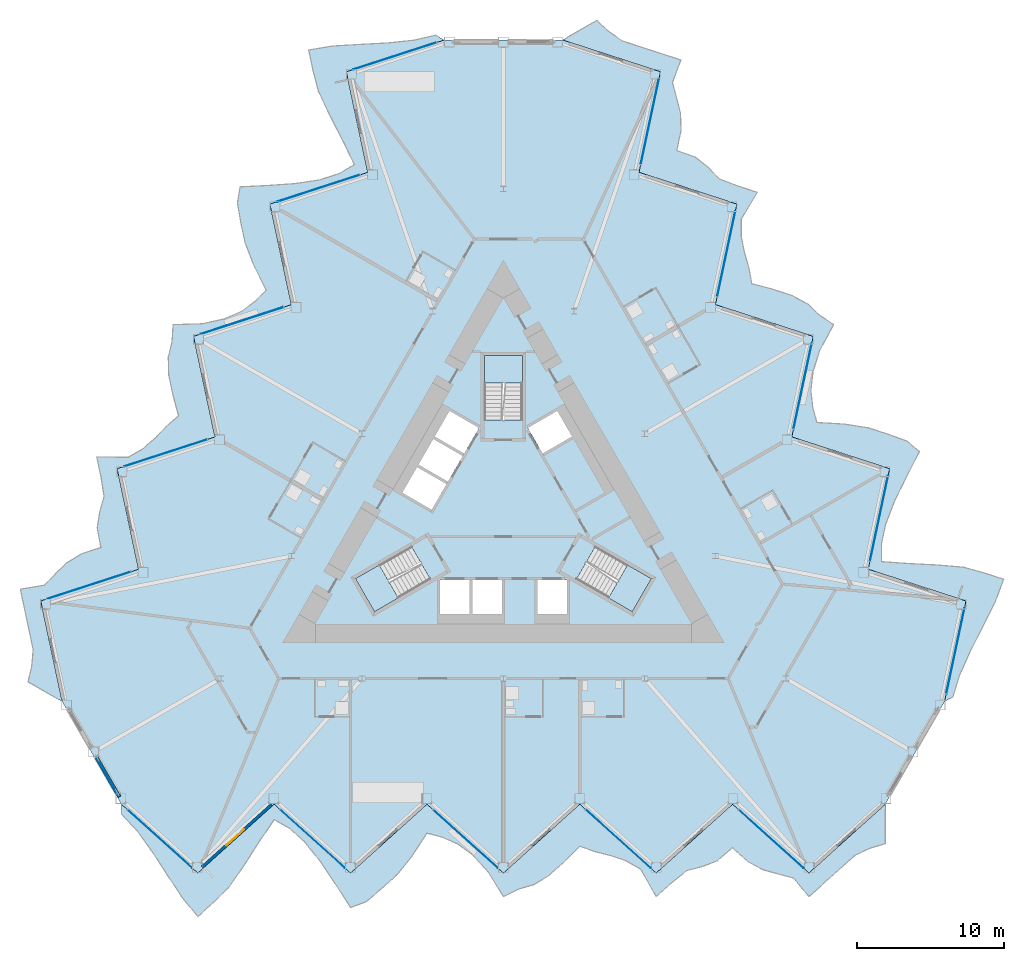
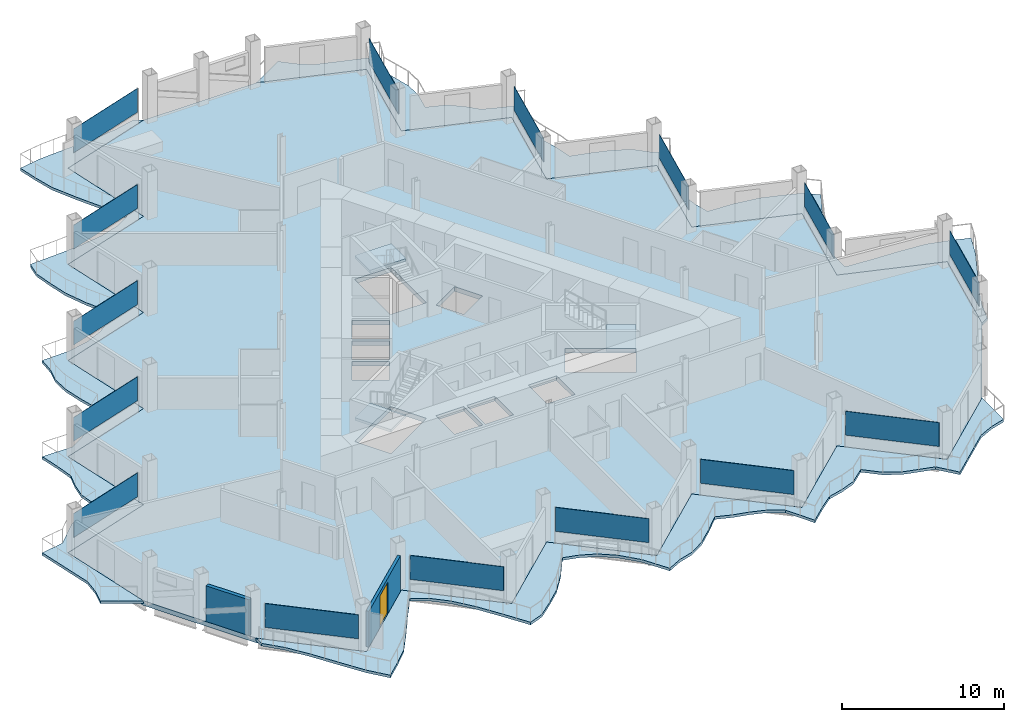
# One storey, part 10 of 23: 15 plates, 7 slabs, 2 walls, 1 door, 1 opening, 18 elements without a shape of their own.
"""IFC4 building model written with IfcOpenShell, lengths in metres."""

import ifcopenshell
import ifcopenshell.guid

model = None  # the IFC model being written
_history = None  # IfcOwnerHistory: only IFC2X3 demands one
_inside = {}  # id of a spatial element -> (the spatial element, [elements in it])
_under = {}  # id of a project, library or spatial element -> (it, [spatial elements below it])
_declared = {}  # id of a project -> (the project, [libraries it declares])
_typed = {}  # id of a type object -> (the type object, [elements of that type])
_made_of = {}  # id of a material, layer set ... -> (it, [elements and type objects made of it])


def new_model(schema):
    """Start an empty IFC model of exactly this schema.

    Asked for "IFC4X3", IfcOpenShell would pick the latest addendum, in which some entities
    have other attributes; the version numbers below select the first issue.
    IFC2X3 requires an IfcOwnerHistory on every rooted entity: one is made here for all.
    """
    global model, _history
    if schema == "IFC4X3":
        model = ifcopenshell.file(schema_version=(4, 3, 0, 0))
    else:
        model = ifcopenshell.file(schema=schema)
    _inside.clear()
    _under.clear()
    _declared.clear()
    _typed.clear()
    _made_of.clear()
    _history = None
    if model.schema == "IFC2X3":
        org = make("IfcOrganization", Name="unknown")
        user = make(
            "IfcPersonAndOrganization",
            ThePerson=make("IfcPerson", FamilyName="unknown"),
            TheOrganization=org,
        )
        app = make(
            "IfcApplication",
            ApplicationDeveloper=org,
            Version="unknown",
            ApplicationFullName="unknown",
            ApplicationIdentifier="unknown",
        )
        _history = make(
            "IfcOwnerHistory",
            OwningUser=user,
            OwningApplication=app,
            ChangeAction="ADDED",
            CreationDate=0,
        )
    return model


def make(cls, **values):
    """One entity of the class cls with the attributes given. An attribute that is None is left unset."""
    return model.create_entity(
        cls, **{name: value for name, value in values.items() if value is not None}
    )


def rooted(cls, **values):
    """An entity with a GlobalId (a new one), such as an element, a storey or a relation."""
    return make(cls, GlobalId=ifcopenshell.guid.new(), OwnerHistory=_history, **values)


def si_unit(unit_type, name, prefix=None):
    """IfcSIUnit, for example si_unit("LENGTHUNIT", "METRE", prefix="MILLI")."""
    return make("IfcSIUnit", UnitType=unit_type, Prefix=prefix, Name=name)


def assignment(units):
    """IfcUnitAssignment: the units of a project."""
    return None if units is None else make("IfcUnitAssignment", Units=units)


def point(xyz):
    """IfcCartesianPoint."""
    return None if xyz is None else make("IfcCartesianPoint", Coordinates=xyz)


def direction(xyz):
    """IfcDirection."""
    return None if xyz is None else make("IfcDirection", DirectionRatios=xyz)


def frame(location, z_axis=None, x_axis=None):
    """IfcAxis2Placement3D, a coordinate frame: its origin and axes. An axis left out is left unset."""
    return make(
        "IfcAxis2Placement3D",
        Location=point(location),
        Axis=direction(z_axis),
        RefDirection=direction(x_axis),
    )


def frame_2d(location, x_axis=None):
    """IfcAxis2Placement2D, a coordinate frame in the plane: its origin and x axis."""
    return make(
        "IfcAxis2Placement2D", Location=point(location), RefDirection=direction(x_axis)
    )


def origin():
    """The frame at (0, 0, 0) with its axes left unset."""
    return frame((0.0, 0.0, 0.0))


def origin_2d():
    """The frame at (0, 0) in the plane with its x axis left unset."""
    return frame_2d((0.0, 0.0))


def place(relative_to, where):
    """IfcLocalPlacement: puts the frame where relative to a parent placement (None: the world)."""
    return make(
        "IfcLocalPlacement", PlacementRelTo=relative_to, RelativePlacement=where
    )


def context(
    kind, dimensions, precision=None, world=None, true_north=None, identifier=None
):
    """IfcGeometricRepresentationContext, for example the 3D "Model" context."""
    return make(
        "IfcGeometricRepresentationContext",
        ContextIdentifier=identifier,
        ContextType=kind,
        CoordinateSpaceDimension=dimensions,
        Precision=precision,
        WorldCoordinateSystem=world,
        TrueNorth=true_north,
    )


def subcontext(parent, identifier, kind, view, scale=None):
    """IfcGeometricRepresentationSubContext, for example "Body" below "Model"."""
    return make(
        "IfcGeometricRepresentationSubContext",
        ContextIdentifier=identifier,
        ContextType=kind,
        ParentContext=parent,
        TargetScale=scale,
        TargetView=view,
    )


def project(units=None, contexts=None):
    """IfcProject with its units and contexts."""
    return rooted(
        "IfcProject",
        Name="project",
        RepresentationContexts=contexts,
        UnitsInContext=assignment(units),
    )


def spatial(cls, under=None, at=None, **own):
    """A site, building, storey or space (cls), placed at a placement, below another one or the project."""
    s = rooted(cls, ObjectPlacement=at, **own)
    if under is not None:
        _under.setdefault(under.id(), (under, []))[1].append(s)
    return s


def polyline(points):
    """IfcPolyline through the points."""
    return make("IfcPolyline", Points=[point(p) for p in points])


def profile(cls, at=None, kind="AREA", **sizes):
    """A parametric profile (cls). Its sizes go by their IFC names, for example OverallWidth=200.0."""
    return make(cls, ProfileType=kind, Position=at, **sizes)


def rectangle(**sizes):
    """IfcRectangleProfileDef."""
    return profile("IfcRectangleProfileDef", **sizes)


def outline(outer, holes=None, kind="AREA"):
    """IfcArbitraryClosedProfileDef: a profile drawn as a closed curve; with holes, ...WithVoids."""
    if holes is None:
        return make("IfcArbitraryClosedProfileDef", ProfileType=kind, OuterCurve=outer)
    return make(
        "IfcArbitraryProfileDefWithVoids",
        ProfileType=kind,
        OuterCurve=outer,
        InnerCurves=holes,
    )


def extrude(swept, where, along, depth):
    """IfcExtrudedAreaSolid: the profile swept, set in the frame where, extruded along a direction by depth."""
    return make(
        "IfcExtrudedAreaSolid",
        SweptArea=swept,
        Position=where,
        ExtrudedDirection=direction(along),
        Depth=depth,
    )


def shape(context_of_items, identifier, shape_type, items):
    """IfcShapeRepresentation: the items that make up one representation, for example the "Body"."""
    return make(
        "IfcShapeRepresentation",
        ContextOfItems=context_of_items,
        RepresentationIdentifier=identifier,
        RepresentationType=shape_type,
        Items=items,
    )


def material(Name=None, Category=None):
    """IfcMaterial."""
    return make("IfcMaterial", Name=Name, Category=Category)


def layer(
    of_material, thickness, ventilated=None, Name=None, Category=None, Priority=None
):
    """IfcMaterialLayer: one layer of a wall or slab, of a material (None: an air gap)."""
    return make(
        "IfcMaterialLayer",
        Material=of_material,
        LayerThickness=thickness,
        IsVentilated=ventilated,
        Name=Name,
        Category=Category,
        Priority=Priority,
    )


def layer_set(layers, Name=None):
    """IfcMaterialLayerSet."""
    return make("IfcMaterialLayerSet", MaterialLayers=layers, LayerSetName=Name)


def made_of(thing, what):
    """Note that an element or type object is made of a material, layer set ...; save() writes the relation."""
    if what is not None:
        _made_of.setdefault(what.id(), (what, []))[1].append(thing)
    return thing


def type_object(cls, material=None, **own):
    """A type object (cls), such as IfcWallType, which elements share."""
    return made_of(rooted(cls, **own), material)


def element(
    cls,
    number,
    at=None,
    inside=None,
    cuts=None,
    type_object=None,
    material=None,
    context=None,
    identifier="Body",
    shape_type=None,
    held_by="IfcProductDefinitionShape",
    body=None,
    shapes=None,
    **own,
):
    """One element of the class cls, such as IfcWall. Its Tag is "e" and its number.

    at: its placement. inside: the storey or other place that contains it. cuts: it is an
    opening in that element (IfcRelVoidsElement). A single representation is given by context,
    identifier, shape_type and body (its items); several are given by shapes. held_by: the class
    of the entity that holds the representations. save() writes the other relations.
    """
    e = rooted(cls, Tag="e%d" % number, ObjectPlacement=at, **own)
    if body is not None:
        shapes = [shape(context, identifier, shape_type, body)]
    if shapes is not None:
        e.Representation = make(held_by, Representations=shapes)
    if inside is not None:
        _inside.setdefault(inside.id(), (inside, []))[1].append(e)
    if cuts is not None:
        rooted(
            "IfcRelVoidsElement", RelatingBuildingElement=cuts, RelatedOpeningElement=e
        )
    if type_object is not None:
        _typed.setdefault(type_object.id(), (type_object, []))[1].append(e)
    return made_of(e, material)


def fill(opening, filler):
    """IfcRelFillsElement: the door or window that sits in an opening."""
    return rooted(
        "IfcRelFillsElement",
        RelatingOpeningElement=opening,
        RelatedBuildingElement=filler,
    )


def aggregate(whole, parts):
    """IfcRelAggregates: a whole, such as a stair, and the parts it consists of."""
    return rooted("IfcRelAggregates", RelatingObject=whole, RelatedObjects=parts)


def save(model, path):
    """Write the relations noted so far, then the file.

    IfcRelAggregates (storeys below a building ...), IfcRelContainedInSpatialStructure (elements
    in a storey), IfcRelDefinesByType, IfcRelAssociatesMaterial and IfcRelDeclares: one each for
    every whole, place, type object, material and project.
    """
    for whole, parts in _under.values():
        aggregate(whole, parts)
    for where, things in _inside.values():
        rooted(
            "IfcRelContainedInSpatialStructure",
            RelatedElements=things,
            RelatingStructure=where,
        )
    for kind, things in _typed.values():
        rooted("IfcRelDefinesByType", RelatedObjects=things, RelatingType=kind)
    for what, things in _made_of.values():
        rooted("IfcRelAssociatesMaterial", RelatedObjects=things, RelatingMaterial=what)
    for by, libraries in _declared.values():
        rooted("IfcRelDeclares", RelatingContext=by, RelatedDefinitions=libraries)
    model.write(path)


model = new_model("IFC4")

# Units and contexts
model_context = context("Model", 3, precision=1e-05, world=origin(), true_north=direction((0.0, 1.0)))
body_context = subcontext(model_context, "Body", "Model", "MODEL_VIEW")
ifc_project = project(units=[si_unit("LENGTHUNIT", "METRE"), si_unit("AREAUNIT", "SQUARE_METRE"), si_unit("VOLUMEUNIT", "CUBIC_METRE"), si_unit("PLANEANGLEUNIT", "RADIAN"), si_unit("MASSUNIT", "GRAM", prefix="KILO")], contexts=[model_context])

# Site, building, storey
site_placement = place(None, origin())
site = spatial("IfcSite", under=ifc_project, at=site_placement, CompositionType="ELEMENT")
building_placement = place(site_placement, origin())
building = spatial("IfcBuilding", under=site, at=building_placement, Name="Cormorant Prow Tower", CompositionType="ELEMENT")
storey_placement = place(building_placement, frame((0.0, 0.0, 256.199951171875)))
storey = spatial("IfcBuildingStorey", under=building, at=storey_placement, Name="L57", CompositionType="ELEMENT", Elevation=256.199951171875)

# Slabs
ifc_material_1 = material(Name="Concrete C40/50", Category="concrete")
ifc_layer_1 = layer(ifc_material_1, 0.199951171875)
ifc_layer_set_1 = layer_set([ifc_layer_1], Name="Concrete C40/50")
slab_type_1 = type_object("IfcSlabType", Name="Balcony slab 200", PredefinedType="FLOOR", material=ifc_layer_set_1)
slab_1_placement = place(storey_placement, frame((0.0, 0.0, -0.199951171875)))
element("IfcSlab", 1, at=slab_1_placement, inside=storey, type_object=slab_type_1, Name="Balcony slab S L57", PredefinedType="FLOOR", context=body_context, shape_type="SweptSolid", body=[
    extrude(outline(polyline([(-25.8974609375, -19.593505859375), (-25.8974609375, -20.243408203125), (-24.861572265625, -21.35888671875), (-23.82568359375, -22.7861328125), (-22.789794921875, -24.380859375), (-21.75390625, -25.949462890625), (-20.718017578125, -27.207275390625), (-19.68212890625, -26.2744140625), (-18.646240234375, -25.255615234375), (-17.6103515625, -23.767822265625), (-16.574462890625, -22.16064453125), (-15.53857421875, -20.630859375), (-14.502685546875, -21.21875), (-13.466796875, -22.15966796875), (-12.430908203125, -23.450927734375), (-11.39501953125, -24.98779296875), (-10.359130859375, -26.593994140625), (-9.322998046875, -26.20703125), (-8.287109375, -25.341796875), (-7.251220703125, -24.408935546875), (-6.21533203125, -23.126953125), (-5.179443359375, -21.552978515625), (-4.1435546875, -21.8271484375), (-3.107666015625, -22.2763671875), (-2.07177734375, -23.0419921875), (-1.035888671875, -24.1728515625), (0.0, -25.857177734375), (1.035888671875, -25.34326171875), (2.07177734375, -25.040771484375), (3.107666015625, -24.408935546875), (4.1435546875, -23.476318359375), (5.179443359375, -22.438232421875), (6.21533203125, -22.806884765625), (7.251220703125, -23.064208984375), (8.287109375, -23.40771484375), (9.322998046875, -24.009765625), (10.359130859375, -25.857177734375), (11.39501953125, -24.924560546875), (12.430908203125, -24.08447265625), (13.466796875, -23.82373046875), (14.502685546875, -23.427001953125), (15.53857421875, -22.54345703125), (16.574462890625, -23.476318359375), (17.6103515625, -24.03466796875), (18.646240234375, -24.3212890625), (19.68212890625, -24.599365234375), (20.718017578125, -25.857177734375), (21.75390625, -24.924560546875), (22.789794921875, -23.99169921875), (23.82568359375, -23.05908203125), (24.861572265625, -22.57470703125), (25.8974609375, -22.266357421875), (25.8974609375, -19.593505859375), (24.861572265625, -20.5263671875), (23.82568359375, -21.458984375), (22.789794921875, -22.3916015625), (21.75390625, -23.324462890625), (20.718017578125, -24.257080078125), (19.68212890625, -23.324462890625), (18.646240234375, -22.3916015625), (17.6103515625, -21.458984375), (16.574462890625, -20.5263671875), (15.53857421875, -19.593505859375), (14.502685546875, -20.5263671875), (13.466796875, -21.458984375), (12.430908203125, -22.3916015625), (11.39501953125, -23.324462890625), (10.359130859375, -24.257080078125), (9.322998046875, -23.324462890625), (8.287109375, -22.3916015625), (7.251220703125, -21.458984375), (6.21533203125, -20.5263671875), (5.179443359375, -19.593505859375), (4.1435546875, -20.5263671875), (3.107666015625, -21.458984375), (2.07177734375, -22.3916015625), (1.035888671875, -23.324462890625), (0.0, -24.257080078125), (-1.035888671875, -23.324462890625), (-2.07177734375, -22.3916015625), (-3.107666015625, -21.458984375), (-4.1435546875, -20.5263671875), (-5.179443359375, -19.593505859375), (-6.21533203125, -20.5263671875), (-7.251220703125, -21.458984375), (-8.287109375, -22.3916015625), (-9.322998046875, -23.324462890625), (-10.359130859375, -24.257080078125), (-11.39501953125, -23.324462890625), (-12.430908203125, -22.3916015625), (-13.466796875, -21.458984375), (-14.502685546875, -20.5263671875), (-15.53857421875, -19.593505859375), (-16.574462890625, -20.5263671875), (-17.6103515625, -21.458984375), (-18.646240234375, -22.3916015625), (-19.68212890625, -23.324462890625), (-20.718017578125, -24.257080078125), (-21.75390625, -23.324462890625), (-22.789794921875, -22.3916015625), (-23.82568359375, -21.458984375), (-24.861572265625, -20.5263671875), (-25.8974609375, -19.593505859375)])), origin(), (0.0, 0.0, 1.0), 0.199951171875),
])
slab_2_placement = place(storey_placement, frame((0.0, 0.0, -0.199951171875)))
element("IfcSlab", 2, at=slab_2_placement, inside=storey, type_object=slab_type_1, Name="Balcony slab ENE L57", PredefinedType="FLOOR", context=body_context, shape_type="SweptSolid", body=[
    extrude(outline(polyline([(29.917236328125, -12.631103515625), (30.480224609375, -12.30615234375), (30.92822265625, -10.851318359375), (31.646240234375, -9.240478515625), (32.50927734375, -7.546142578125), (33.349853515625, -5.86474609375), (33.921142578125, -4.3388671875), (32.595458984375, -3.907958984375), (31.195068359375, -3.520263671875), (29.388671875, -3.3671875), (27.478759765625, -3.273681640625), (25.63623046875, -3.141357421875), (25.62744140625, -1.9501953125), (25.924072265625, -0.582763671875), (26.5244140625, 0.9599609375), (27.337646484375, 2.625732421875), (28.210693359375, 4.325927734375), (27.357421875, 5.029541015625), (26.090087890625, 5.493896484375), (24.764404296875, 5.924560546875), (23.13623046875, 6.1806640625), (21.255126953125, 6.291015625), (20.974609375, 7.3251953125), (20.845703125, 8.44677734375), (20.990966796875, 9.726806640625), (21.452392578125, 11.189208984375), (22.39306640625, 12.928466796875), (21.429931640625, 13.56884765625), (20.650146484375, 14.314697265625), (19.5849609375, 14.895751953125), (18.25927734375, 15.32666015625), (16.84228515625, 15.70458984375), (16.6435546875, 16.7861328125), (16.3486328125, 17.81201171875), (16.128173828125, 18.880859375), (16.13134765625, 20.078857421875), (17.21337890625, 21.899658203125), (15.8876953125, 22.33056640625), (14.642333984375, 22.8076171875), (13.8984375, 23.57421875), (13.037109375, 24.273193359375), (11.75390625, 24.728515625), (12.043701171875, 26.092041015625), (12.009521484375, 27.268310546875), (11.73974609375, 28.308837890625), (11.462646484375, 29.344970703125), (12.033935546875, 30.870849609375), (10.708251953125, 31.3017578125), (9.382568359375, 31.732421875), (8.056884765625, 32.1630859375), (7.119384765625, 32.818115234375), (6.33447265625, 33.56103515625), (4.019775390625, 32.224609375), (5.345458984375, 31.7939453125), (6.671142578125, 31.36328125), (7.996826171875, 30.932373046875), (9.322509765625, 30.501708984375), (10.648193359375, 30.071044921875), (10.3583984375, 28.70751953125), (10.068603515625, 27.343994140625), (9.77880859375, 25.98046875), (9.489013671875, 24.616943359375), (9.19921875, 23.25341796875), (10.52490234375, 22.82275390625), (11.8505859375, 22.39208984375), (13.17626953125, 21.961181640625), (14.502197265625, 21.530517578125), (15.827880859375, 21.099853515625), (15.5380859375, 19.736328125), (15.248291015625, 18.372802734375), (14.958251953125, 17.00927734375), (14.66845703125, 15.645751953125), (14.378662109375, 14.2822265625), (15.704345703125, 13.8515625), (17.0302734375, 13.4208984375), (18.35595703125, 12.989990234375), (19.681640625, 12.559326171875), (21.00732421875, 12.128662109375), (20.717529296875, 10.76513671875), (20.427734375, 9.401611328125), (20.137939453125, 8.0380859375), (19.84814453125, 6.674560546875), (19.558349609375, 5.311279296875), (20.884033203125, 4.88037109375), (22.209716796875, 4.44970703125), (23.535400390625, 4.018798828125), (24.861083984375, 3.588134765625), (26.186767578125, 3.157470703125), (25.89697265625, 1.7939453125), (25.607177734375, 0.430419921875), (25.3173828125, -0.93310546875), (25.027587890625, -2.296630859375), (24.73779296875, -3.659912109375), (26.0634765625, -4.0908203125), (27.38916015625, -4.521484375), (28.71484375, -4.9521484375), (30.04052734375, -5.383056640625), (31.366455078125, -5.813720703125), (31.076416015625, -7.17724609375), (30.78662109375, -8.540771484375), (30.496826171875, -9.904296875), (30.20703125, -11.267578125), (29.917236328125, -12.631103515625)])), origin(), (0.0, 0.0, 1.0), 0.199951171875),
])
slab_3_placement = place(storey_placement, frame((0.0, 0.0, -0.199951171875)))
element("IfcSlab", 3, at=slab_3_placement, inside=storey, type_object=slab_type_1, Name="Balcony slab WNW L57", PredefinedType="FLOOR", context=body_context, shape_type="SweptSolid", body=[
    extrude(outline(polyline([(-4.019775390625, 32.224609375), (-4.58251953125, 32.5498046875), (-6.066650390625, 32.210205078125), (-7.820556640625, 32.02685546875), (-9.719482421875, 31.927001953125), (-11.595947265625, 31.814208984375), (-13.203125, 31.5458984375), (-12.913330078125, 30.182373046875), (-12.548828125, 28.77587890625), (-11.7783203125, 27.135009765625), (-10.904296875, 25.43408203125), (-10.09765625, 23.772216796875), (-11.124755859375, 23.1689453125), (-12.45751953125, 22.742431640625), (-14.09375, 22.490966796875), (-15.942626953125, 22.3623046875), (-17.8515625, 22.26806640625), (-18.034423828125, 21.177490234375), (-17.802978515625, 19.847900390625), (-17.51318359375, 18.484375), (-16.920654296875, 16.946044921875), (-16.07568359375, 15.261962890625), (-16.8310546875, 14.501953125), (-17.738037109375, 13.82958984375), (-18.919189453125, 13.315185546875), (-20.41650390625, 12.983642578125), (-22.39306640625, 12.928466796875), (-22.4658203125, 11.7744140625), (-22.721923828125, 10.72607421875), (-22.692626953125, 9.51318359375), (-22.40283203125, 8.149658203125), (-22.021728515625, 6.7333984375), (-22.85888671875, 6.020751953125), (-23.599853515625, 5.252197265625), (-24.415283203125, 4.52685546875), (-25.45458984375, 3.9306640625), (-27.572509765625, 3.95751953125), (-27.28271484375, 2.593994140625), (-27.0732421875, 1.27685546875), (-27.365234375, 0.249267578125), (-27.53955078125, -0.84619140625), (-27.29248046875, -2.18505859375), (-28.6181640625, -2.61572265625), (-29.619873046875, -3.233642578125), (-30.385986328125, -3.9873046875), (-31.144775390625, -4.74560546875), (-32.751953125, -5.013671875), (-32.462158203125, -6.377197265625), (-32.17236328125, -7.74072265625), (-31.882568359375, -9.104248046875), (-31.981201171875, -10.243408203125), (-32.23193359375, -11.294677734375), (-29.917236328125, -12.631103515625), (-30.20703125, -11.267578125), (-30.496826171875, -9.904296875), (-30.78662109375, -8.540771484375), (-31.076416015625, -7.17724609375), (-31.366455078125, -5.813720703125), (-30.04052734375, -5.383056640625), (-28.71484375, -4.9521484375), (-27.38916015625, -4.521484375), (-26.0634765625, -4.0908203125), (-24.73779296875, -3.659912109375), (-25.027587890625, -2.296630859375), (-25.3173828125, -0.93310546875), (-25.607177734375, 0.430419921875), (-25.89697265625, 1.7939453125), (-26.186767578125, 3.157470703125), (-24.861083984375, 3.588134765625), (-23.535400390625, 4.018798828125), (-22.209716796875, 4.44970703125), (-20.884033203125, 4.88037109375), (-19.558349609375, 5.311279296875), (-19.84814453125, 6.674560546875), (-20.137939453125, 8.0380859375), (-20.427734375, 9.401611328125), (-20.717529296875, 10.76513671875), (-21.00732421875, 12.128662109375), (-19.681640625, 12.559326171875), (-18.35595703125, 12.989990234375), (-17.0302734375, 13.4208984375), (-15.704345703125, 13.8515625), (-14.378662109375, 14.2822265625), (-14.66845703125, 15.645751953125), (-14.958251953125, 17.00927734375), (-15.248291015625, 18.372802734375), (-15.5380859375, 19.736328125), (-15.827880859375, 21.099853515625), (-14.502197265625, 21.530517578125), (-13.17626953125, 21.961181640625), (-11.8505859375, 22.39208984375), (-10.52490234375, 22.82275390625), (-9.19921875, 23.25341796875), (-9.489013671875, 24.616943359375), (-9.77880859375, 25.98046875), (-10.068603515625, 27.343994140625), (-10.3583984375, 28.70751953125), (-10.648193359375, 30.071044921875), (-9.322509765625, 30.501708984375), (-7.996826171875, 30.932373046875), (-6.671142578125, 31.36328125), (-5.345458984375, 31.7939453125), (-4.019775390625, 32.224609375)])), origin(), (0.0, 0.0, 1.0), 0.199951171875),
])

# Curtain wall, plate
ifc_material_2 = material(Name="Aluminium 6063-T6", Category="aluminium")
ifc_layer_2 = layer(ifc_material_2, 0.179931640625)
ifc_layer_set_2 = layer_set([ifc_layer_2], Name="Aluminium 6063-T6")
curtain_wall_type = type_object("IfcCurtainWallType", Name="Hotel unitised curtain wall 180", PredefinedType="NOTDEFINED", material=ifc_layer_set_2)
curtain_wall_1_placement = place(storey_placement, origin())
curtain_wall_1 = element("IfcCurtainWall", 4, at=curtain_wall_1_placement, inside=storey, type_object=curtain_wall_type, Name="Hotel curtain wall S00", PredefinedType="NOTDEFINED")
ifc_material_3 = material(Name="Clear glass", Category="glass")
ifc_layer_3 = layer(ifc_material_3, 0.028076171875)
ifc_layer_set_3 = layer_set([ifc_layer_3], Name="Clear glass")
plate_type = type_object("IfcPlateType", Name="Hotel glass panel 28", PredefinedType="CURTAIN_PANEL", material=ifc_layer_set_3)
plate_1_placement = place(storey_placement, frame((-23.285400390625, -21.9453125, 0.900146484375), z_axis=(0.0, 0.0, 1.0), x_axis=(0.743144829063, -0.669130602377, 0.0)))
plate_1 = element("IfcPlate", 5, at=plate_1_placement, type_object=plate_type, Name="Hotel glass panel S00", PredefinedType="CURTAIN_PANEL", context=body_context, shape_type="SweptSolid", body=[
    extrude(rectangle(XDim=5.90771484375, YDim=0.028076171875, at=origin_2d()), origin(), (0.0, 0.0, 1.0), 1.80078125),
])
aggregate(curtain_wall_1, [plate_1])

curtain_wall_2_placement = place(storey_placement, origin())
curtain_wall_2 = element("IfcCurtainWall", 6, at=curtain_wall_2_placement, inside=storey, type_object=curtain_wall_type, Name="Hotel curtain wall S02", PredefinedType="NOTDEFINED")
plate_2_placement = place(storey_placement, frame((-12.926513671875, -21.9453125, 0.900146484375), z_axis=(0.0, 0.0, 1.0), x_axis=(0.743144829063, -0.669130602377, 0.0)))
plate_2 = element("IfcPlate", 7, at=plate_2_placement, type_object=plate_type, Name="Hotel glass panel S02", PredefinedType="CURTAIN_PANEL", context=body_context, shape_type="SweptSolid", body=[
    extrude(rectangle(XDim=5.90771484375, YDim=0.028076171875, at=origin_2d()), origin(), (0.0, 0.0, 1.0), 1.80078125),
])
aggregate(curtain_wall_2, [plate_2])

curtain_wall_3_placement = place(storey_placement, origin())
curtain_wall_3 = element("IfcCurtainWall", 8, at=curtain_wall_3_placement, inside=storey, type_object=curtain_wall_type, Name="Hotel curtain wall S04", PredefinedType="NOTDEFINED")
plate_3_placement = place(storey_placement, frame((-2.5673828125, -21.9453125, 0.900146484375), z_axis=(0.0, 0.0, 1.0), x_axis=(0.743144829063, -0.669130602377, 0.0)))
plate_3 = element("IfcPlate", 9, at=plate_3_placement, type_object=plate_type, Name="Hotel glass panel S04", PredefinedType="CURTAIN_PANEL", context=body_context, shape_type="SweptSolid", body=[
    extrude(rectangle(XDim=5.90771484375, YDim=0.028076171875, at=origin_2d()), origin(), (0.0, 0.0, 1.0), 1.80078125),
])
aggregate(curtain_wall_3, [plate_3])

curtain_wall_4_placement = place(storey_placement, origin())
curtain_wall_4 = element("IfcCurtainWall", 10, at=curtain_wall_4_placement, inside=storey, type_object=curtain_wall_type, Name="Hotel curtain wall S06", PredefinedType="NOTDEFINED")
plate_4_placement = place(storey_placement, frame((7.79150390625, -21.9453125, 0.900146484375), z_axis=(0.0, 0.0, 1.0), x_axis=(0.743144829063, -0.669130602377, 0.0)))
plate_4 = element("IfcPlate", 11, at=plate_4_placement, type_object=plate_type, Name="Hotel glass panel S06", PredefinedType="CURTAIN_PANEL", context=body_context, shape_type="SweptSolid", body=[
    extrude(rectangle(XDim=5.90771484375, YDim=0.028076171875, at=origin_2d()), origin(), (0.0, 0.0, 1.0), 1.80078125),
])
aggregate(curtain_wall_4, [plate_4])

curtain_wall_5_placement = place(storey_placement, origin())
curtain_wall_5 = element("IfcCurtainWall", 12, at=curtain_wall_5_placement, inside=storey, type_object=curtain_wall_type, Name="Hotel curtain wall S08", PredefinedType="NOTDEFINED")
plate_5_placement = place(storey_placement, frame((18.150634765625, -21.9453125, 0.900146484375), z_axis=(0.0, 0.0, 1.0), x_axis=(0.743144829063, -0.669130602377, 0.0)))
plate_5 = element("IfcPlate", 13, at=plate_5_placement, type_object=plate_type, Name="Hotel glass panel S08", PredefinedType="CURTAIN_PANEL", context=body_context, shape_type="SweptSolid", body=[
    extrude(rectangle(XDim=5.90771484375, YDim=0.028076171875, at=origin_2d()), origin(), (0.0, 0.0, 1.0), 1.80078125),
])
aggregate(curtain_wall_5, [plate_5])

curtain_wall_6_placement = place(storey_placement, origin())
curtain_wall_6 = element("IfcCurtainWall", 14, at=curtain_wall_6_placement, inside=storey, type_object=curtain_wall_type, Name="Hotel curtain wall ENE00", PredefinedType="NOTDEFINED")
plate_6_placement = place(storey_placement, frame((30.64794921875, -9.193115234375, 0.900146484375), z_axis=(0.0, 0.0, 1.0), x_axis=(0.207911825822, 0.978147572038, 0.0)))
plate_6 = element("IfcPlate", 15, at=plate_6_placement, type_object=plate_type, Name="Hotel glass panel ENE00", PredefinedType="CURTAIN_PANEL", context=body_context, shape_type="SweptSolid", body=[
    extrude(rectangle(XDim=5.90771484375, YDim=0.028076171875, at=origin_2d()), origin(), (0.0, 0.0, 1.0), 1.80078125),
])
aggregate(curtain_wall_6, [plate_6])

curtain_wall_7_placement = place(storey_placement, origin())
curtain_wall_7 = element("IfcCurtainWall", 16, at=curtain_wall_7_placement, inside=storey, type_object=curtain_wall_type, Name="Hotel curtain wall ENE02", PredefinedType="NOTDEFINED")
plate_7_placement = place(storey_placement, frame((25.468505859375, -0.221923828125, 0.900146484375), z_axis=(0.0, 0.0, 1.0), x_axis=(0.207911688547, 0.978147601216, 0.0)))
plate_7 = element("IfcPlate", 17, at=plate_7_placement, type_object=plate_type, Name="Hotel glass panel ENE02", PredefinedType="CURTAIN_PANEL", context=body_context, shape_type="SweptSolid", body=[
    extrude(rectangle(XDim=5.90771484375, YDim=0.028076171875, at=origin_2d()), origin(), (0.0, 0.0, 1.0), 1.80078125),
])
aggregate(curtain_wall_7, [plate_7])

curtain_wall_8_placement = place(storey_placement, origin())
curtain_wall_8 = element("IfcCurtainWall", 18, at=curtain_wall_8_placement, inside=storey, type_object=curtain_wall_type, Name="Hotel curtain wall ENE04", PredefinedType="NOTDEFINED")
plate_8_placement = place(storey_placement, frame((20.2890625, 8.749267578125, 0.900146484375), z_axis=(0.0, 0.0, 1.0), x_axis=(0.207911825822, 0.978147572038, 0.0)))
plate_8 = element("IfcPlate", 19, at=plate_8_placement, type_object=plate_type, Name="Hotel glass panel ENE04", PredefinedType="CURTAIN_PANEL", context=body_context, shape_type="SweptSolid", body=[
    extrude(rectangle(XDim=5.90771484375, YDim=0.028076171875, at=origin_2d()), origin(), (0.0, 0.0, 1.0), 1.80078125),
])
aggregate(curtain_wall_8, [plate_8])

curtain_wall_9_placement = place(storey_placement, origin())
curtain_wall_9 = element("IfcCurtainWall", 20, at=curtain_wall_9_placement, inside=storey, type_object=curtain_wall_type, Name="Hotel curtain wall ENE06", PredefinedType="NOTDEFINED")
plate_9_placement = place(storey_placement, frame((15.109619140625, 17.720458984375, 0.900146484375), z_axis=(0.0, 0.0, 1.0), x_axis=(0.207911825822, 0.978147572038, 0.0)))
plate_9 = element("IfcPlate", 21, at=plate_9_placement, type_object=plate_type, Name="Hotel glass panel ENE06", PredefinedType="CURTAIN_PANEL", context=body_context, shape_type="SweptSolid", body=[
    extrude(rectangle(XDim=5.90771484375, YDim=0.028076171875, at=origin_2d()), origin(), (0.0, 0.0, 1.0), 1.80078125),
])
aggregate(curtain_wall_9, [plate_9])

curtain_wall_10_placement = place(storey_placement, origin())
curtain_wall_10 = element("IfcCurtainWall", 22, at=curtain_wall_10_placement, inside=storey, type_object=curtain_wall_type, Name="Hotel curtain wall ENE08", PredefinedType="NOTDEFINED")
plate_10_placement = place(storey_placement, frame((9.929931640625, 26.691650390625, 0.900146484375), z_axis=(0.0, 0.0, 1.0), x_axis=(0.207911688547, 0.978147601216, 0.0)))
plate_10 = element("IfcPlate", 23, at=plate_10_placement, type_object=plate_type, Name="Hotel glass panel ENE08", PredefinedType="CURTAIN_PANEL", context=body_context, shape_type="SweptSolid", body=[
    extrude(rectangle(XDim=5.90771484375, YDim=0.028076171875, at=origin_2d()), origin(), (0.0, 0.0, 1.0), 1.80078125),
])
aggregate(curtain_wall_10, [plate_10])

curtain_wall_11_placement = place(storey_placement, origin())
curtain_wall_11 = element("IfcCurtainWall", 24, at=curtain_wall_11_placement, inside=storey, type_object=curtain_wall_type, Name="Hotel curtain wall WNW00", PredefinedType="NOTDEFINED")
plate_11_placement = place(storey_placement, frame((-7.362548828125, 31.138427734375, 0.900146484375), z_axis=(0.0, 0.0, 1.0), x_axis=(-0.951056534174, -0.309016939349, 0.0)))
plate_11 = element("IfcPlate", 25, at=plate_11_placement, type_object=plate_type, Name="Hotel glass panel WNW00", PredefinedType="CURTAIN_PANEL", context=body_context, shape_type="SweptSolid", body=[
    extrude(rectangle(XDim=5.90771484375, YDim=0.028076171875, at=origin_2d()), origin(), (0.0, 0.0, 1.0), 1.80078125),
])
aggregate(curtain_wall_11, [plate_11])

curtain_wall_12_placement = place(storey_placement, origin())
curtain_wall_12 = element("IfcCurtainWall", 26, at=curtain_wall_12_placement, inside=storey, type_object=curtain_wall_type, Name="Hotel curtain wall WNW02", PredefinedType="NOTDEFINED")
plate_12_placement = place(storey_placement, frame((-12.5419921875, 22.16748046875, 0.900146484375), z_axis=(0.0, 0.0, 1.0), x_axis=(-0.951056534174, -0.309016939349, 0.0)))
plate_12 = element("IfcPlate", 27, at=plate_12_placement, type_object=plate_type, Name="Hotel glass panel WNW02", PredefinedType="CURTAIN_PANEL", context=body_context, shape_type="SweptSolid", body=[
    extrude(rectangle(XDim=5.90771484375, YDim=0.028076171875, at=origin_2d()), origin(), (0.0, 0.0, 1.0), 1.80078125),
])
aggregate(curtain_wall_12, [plate_12])

curtain_wall_13_placement = place(storey_placement, origin())
curtain_wall_13 = element("IfcCurtainWall", 28, at=curtain_wall_13_placement, inside=storey, type_object=curtain_wall_type, Name="Hotel curtain wall WNW04", PredefinedType="NOTDEFINED")
plate_13_placement = place(storey_placement, frame((-17.7216796875, 13.1962890625, 0.900146484375), z_axis=(0.0, 0.0, 1.0), x_axis=(-0.951056492009, -0.309017069121, 0.0)))
plate_13 = element("IfcPlate", 29, at=plate_13_placement, type_object=plate_type, Name="Hotel glass panel WNW04", PredefinedType="CURTAIN_PANEL", context=body_context, shape_type="SweptSolid", body=[
    extrude(rectangle(XDim=5.90771484375, YDim=0.028076171875, at=origin_2d()), origin(), (0.0, 0.0, 1.0), 1.80078125),
])
aggregate(curtain_wall_13, [plate_13])

curtain_wall_14_placement = place(storey_placement, origin())
curtain_wall_14 = element("IfcCurtainWall", 30, at=curtain_wall_14_placement, inside=storey, type_object=curtain_wall_type, Name="Hotel curtain wall WNW06", PredefinedType="NOTDEFINED")
plate_14_placement = place(storey_placement, frame((-22.901123046875, 4.22509765625, 0.900146484375), z_axis=(0.0, 0.0, 1.0), x_axis=(-0.951056534174, -0.309016939349, 0.0)))
plate_14 = element("IfcPlate", 31, at=plate_14_placement, type_object=plate_type, Name="Hotel glass panel WNW06", PredefinedType="CURTAIN_PANEL", context=body_context, shape_type="SweptSolid", body=[
    extrude(rectangle(XDim=5.90771484375, YDim=0.028076171875, at=origin_2d()), origin(), (0.0, 0.0, 1.0), 1.80078125),
])
aggregate(curtain_wall_14, [plate_14])

curtain_wall_15_placement = place(storey_placement, origin())
curtain_wall_15 = element("IfcCurtainWall", 32, at=curtain_wall_15_placement, inside=storey, type_object=curtain_wall_type, Name="Hotel curtain wall WNW08", PredefinedType="NOTDEFINED")
plate_15_placement = place(storey_placement, frame((-28.08056640625, -4.74609375, 0.900146484375), z_axis=(0.0, 0.0, 1.0), x_axis=(-0.951056534174, -0.309016939349, 0.0)))
plate_15 = element("IfcPlate", 33, at=plate_15_placement, type_object=plate_type, Name="Hotel glass panel WNW08", PredefinedType="CURTAIN_PANEL", context=body_context, shape_type="SweptSolid", body=[
    extrude(rectangle(XDim=5.90771484375, YDim=0.028076171875, at=origin_2d()), origin(), (0.0, 0.0, 1.0), 1.80078125),
])
aggregate(curtain_wall_15, [plate_15])

# Slab
ifc_material_4 = material(Name="Concrete C40/50", Category="concrete")
ifc_layer_4 = layer(ifc_material_4, 0.35009765625)
ifc_layer_set_4 = layer_set([ifc_layer_4], Name="Concrete C40/50")
slab_type_2 = type_object("IfcSlabType", Name="Post-tensioned flat slab 350", PredefinedType="FLOOR", material=ifc_layer_set_4)
slab_4_placement = place(storey_placement, frame((0.0, 0.0, -0.349853515625)))
element("IfcSlab", 34, at=slab_4_placement, inside=storey, type_object=slab_type_2, Name="Floor slab L57", PredefinedType="FLOOR", context=body_context, shape_type="SweptSolid", body=[
    extrude(outline(polyline([(-9.19921875, 23.25341796875), (-15.827880859375, 21.099853515625), (-14.378662109375, 14.2822265625), (-21.00732421875, 12.128662109375), (-19.558349609375, 5.311279296875), (-26.186767578125, 3.157470703125), (-24.73779296875, -3.659912109375), (-31.366455078125, -5.813720703125), (-29.917236328125, -12.631103515625), (-27.907470703125, -16.1123046875), (-25.8974609375, -19.593505859375), (-20.718017578125, -24.257080078125), (-15.53857421875, -19.593505859375), (-10.359130859375, -24.257080078125), (-5.179443359375, -19.593505859375), (0.0, -24.257080078125), (5.179443359375, -19.593505859375), (10.359130859375, -24.257080078125), (15.53857421875, -19.593505859375), (20.718017578125, -24.257080078125), (25.8974609375, -19.593505859375), (27.907470703125, -16.1123046875), (29.917236328125, -12.631103515625), (31.366455078125, -5.813720703125), (24.73779296875, -3.659912109375), (26.186767578125, 3.157470703125), (19.558349609375, 5.311279296875), (21.00732421875, 12.128662109375), (14.378662109375, 14.2822265625), (15.827880859375, 21.099853515625), (9.19921875, 23.25341796875), (10.648193359375, 30.071044921875), (4.019775390625, 32.224609375), (0.0, 32.224609375), (-4.019775390625, 32.224609375), (-10.648193359375, 30.071044921875), (-9.19921875, 23.25341796875)]), holes=[polyline([(-4.300048828125, -4.39990234375), (-2.300048828125, -4.39990234375), (-2.300048828125, -6.699951171875), (-4.300048828125, -6.699951171875), (-4.300048828125, -4.39990234375)]), polyline([(-0.10009765625, -4.39990234375), (-0.10009765625, -6.699951171875), (-2.10009765625, -6.699951171875), (-2.10009765625, -4.39990234375), (-0.10009765625, -4.39990234375)]), polyline([(4.300048828125, -6.699951171875), (2.300048828125, -6.699951171875), (2.300048828125, -4.39990234375), (4.300048828125, -4.39990234375), (4.300048828125, -6.699951171875)]), polyline([(4.65234375, 5.341796875), (2.660400390625, 4.19189453125), (1.660400390625, 5.923828125), (3.65234375, 7.073974609375), (4.65234375, 5.341796875)]), polyline([(-1.660400390625, 5.923828125), (-2.660400390625, 4.19189453125), (-4.65234375, 5.341796875), (-3.65234375, 7.073974609375), (-1.660400390625, 5.923828125)]), polyline([(-3.760498046875, 2.28662109375), (-5.75244140625, 3.4365234375), (-4.75244140625, 5.168701171875), (-2.760498046875, 4.018798828125), (-3.760498046875, 2.28662109375)]), polyline([(-6.852294921875, 1.53125), (-5.852294921875, 3.263427734375), (-3.860595703125, 2.11328125), (-4.860595703125, 0.38134765625), (-6.852294921875, 1.53125)]), polyline([(-4.947509765625, -4.3505859375), (-8.738037109375, -6.5390625), (-10.031982421875, -4.2978515625), (-6.241455078125, -2.109375), (-4.947509765625, -4.3505859375)]), polyline([(10.031982421875, -4.2978515625), (8.738037109375, -6.5390625), (4.947509765625, -4.3505859375), (6.241455078125, -2.109375), (10.031982421875, -4.2978515625)]), polyline([(1.2939453125, 10.8369140625), (1.2939453125, 6.459716796875), (-1.2939453125, 6.459716796875), (-1.2939453125, 10.8369140625), (1.2939453125, 10.8369140625)])]), origin(), (0.0, 0.0, 1.0), 0.349853515625),
])

# Stair, slab
ifc_material_5 = material(Name="Exit stair 20 risers")
stair_type = type_object("IfcStairType", Name="Exit stair 20 risers", PredefinedType="HALF_TURN_STAIR", material=ifc_material_5)
stair_1_placement = place(storey_placement, origin())
stair_1 = element("IfcStair", 35, at=stair_1_placement, inside=storey, type_object=stair_type, Name="L57 Exit stair ST1", PredefinedType="HALF_TURN_STAIR")
ifc_material_6 = material(Name="Concrete 5000 psi", Category="concrete")
ifc_layer_5 = layer(ifc_material_6, 0.199951171875)
ifc_layer_set_5 = layer_set([ifc_layer_5], Name="Concrete 5000 psi")
slab_type_3 = type_object("IfcSlabType", Name="Stair landing 200", PredefinedType="LANDING", material=ifc_layer_set_5)
slab_5_placement = place(storey_placement, frame((0.0, 0.0, 1.60009765625)))
slab_5 = element("IfcSlab", 36, at=slab_5_placement, type_object=slab_type_3, Name="ST1 landing 1", PredefinedType="LANDING", context=body_context, shape_type="SweptSolid", body=[
    extrude(outline(polyline([(-8.416748046875, -3.365234375), (-10.031982421875, -4.2978515625), (-8.738037109375, -6.5390625), (-7.122802734375, -5.6064453125), (-8.416748046875, -3.365234375)])), origin(), (0.0, 0.0, 1.0), 0.199951171875),
])
aggregate(stair_1, [slab_5])

stair_2_placement = place(storey_placement, origin())
stair_2 = element("IfcStair", 37, at=stair_2_placement, inside=storey, type_object=stair_type, Name="L57 Exit stair ST2", PredefinedType="HALF_TURN_STAIR")
slab_6_placement = place(storey_placement, frame((0.0, 0.0, 1.60009765625)))
slab_6 = element("IfcSlab", 38, at=slab_6_placement, type_object=slab_type_3, Name="ST2 landing 1", PredefinedType="LANDING", context=body_context, shape_type="SweptSolid", body=[
    extrude(outline(polyline([(7.122802734375, -5.6064453125), (8.738037109375, -6.5390625), (10.031982421875, -4.2978515625), (8.416748046875, -3.365234375), (7.122802734375, -5.6064453125)])), origin(), (0.0, 0.0, 1.0), 0.199951171875),
])
aggregate(stair_2, [slab_6])

stair_3_placement = place(storey_placement, origin())
stair_3 = element("IfcStair", 39, at=stair_3_placement, inside=storey, type_object=stair_type, Name="L57 Exit stair ST3", PredefinedType="HALF_TURN_STAIR")
slab_7_placement = place(storey_placement, frame((0.0, 0.0, 1.60009765625)))
slab_7 = element("IfcSlab", 40, at=slab_7_placement, type_object=slab_type_3, Name="ST3 landing 1", PredefinedType="LANDING", context=body_context, shape_type="SweptSolid", body=[
    extrude(outline(polyline([(1.2939453125, 8.971923828125), (1.2939453125, 10.8369140625), (-1.2939453125, 10.8369140625), (-1.2939453125, 8.971923828125), (1.2939453125, 8.971923828125)])), origin(), (0.0, 0.0, 1.0), 0.199951171875),
])
aggregate(stair_3, [slab_7])

# Wall
ifc_material_7 = material(Name="Terracotta", Category="masonry")
ifc_layer_6 = layer(ifc_material_7, 0.25)
ifc_layer_set_6 = layer_set([ifc_layer_6], Name="Terracotta")
wall_type_1 = type_object("IfcWallType", Name="Terracotta bay wall 250", PredefinedType="SOLIDWALL", material=ifc_layer_set_6)
wall_1_placement = place(storey_placement, frame((-27.57568359375, -16.436767578125, 0.0), z_axis=(0.0, 0.0, 1.0), x_axis=(0.499976998774, -0.866038683141, 0.0)))
element("IfcWall", 41, at=wall_1_placement, inside=storey, type_object=wall_type_1, Name="Terracotta bay wall WSW01", PredefinedType="SOLIDWALL", context=body_context, shape_type="SweptSolid", body=[
    extrude(rectangle(XDim=3.072021484375, YDim=0.25, at=frame_2d((1.5361328125, 0.0))), origin(), (0.0, 0.0, 1.0), 2.700927734375),
])

# Wall, opening, door
ifc_material_8 = material(Name="Terracotta", Category="masonry")
ifc_layer_7 = layer(ifc_material_8, 0.199951171875)
ifc_layer_set_7 = layer_set([ifc_layer_7], Name="Terracotta")
wall_type_2 = type_object("IfcWallType", Name="Terracotta jamb wall 200", PredefinedType="SOLIDWALL", material=ifc_layer_set_7)
wall_2_placement = place(storey_placement, frame((-20.41259765625, -23.84765625, 0.0), z_axis=(0.0, 0.0, 1.0), x_axis=(0.74314024121, 0.669135697668, 0.0)))
wall_2 = element("IfcWall", 42, at=wall_2_placement, inside=storey, type_object=wall_type_2, Name="Terracotta jamb wall S01", PredefinedType="SOLIDWALL", context=body_context, shape_type="SweptSolid", body=[
    extrude(rectangle(XDim=6.31103515625, YDim=0.199951171875, at=frame_2d((3.155517578125, 0.0))), origin(), (0.0, 0.0, 1.0), 2.700927734375),
])
opening_placement = place(wall_2_placement, frame((2.183837890625, 0.0, 0.0)))
opening = element("IfcOpeningElement", 43, at=opening_placement, cuts=wall_2, Name="Opening ED57.01", PredefinedType="OPENING", context=body_context, shape_type="SweptSolid", body=[
    extrude(rectangle(XDim=1.60009765625, YDim=2.39990234375, at=frame_2d((0.800048828125, 1.199951171875))), frame((0.0, 0.10986328125, 0.0), z_axis=(0.0, -1.0, 0.0), x_axis=(1.0, 0.0, 0.0)), (0.0, 0.0, 1.0), 0.219970703125),
])
ifc_material_9 = material(Name="Aluminium 6063-T6", Category="aluminium")
door_type = type_object("IfcDoorType", Name="Balcony door 1600x2400", OperationType="DOUBLE_DOOR_SINGLE_SWING", PredefinedType="DOOR", material=ifc_material_9)
door_placement = place(opening_placement, origin())
door = element("IfcDoor", 44, at=door_placement, inside=storey, type_object=door_type, Name="Balcony door S01 ED57.01", OperationType="DOUBLE_DOOR_SINGLE_SWING", OverallHeight=2.39990234375, OverallWidth=1.60009765625, PredefinedType="DOOR", context=body_context, shape_type="SweptSolid", body=[
    extrude(rectangle(XDim=1.60009765625, YDim=2.39990234375, at=frame_2d((0.800048828125, 1.199951171875))), frame((0.0, 0.02490234375, 0.0), z_axis=(0.0, -1.0, 0.0), x_axis=(1.0, 0.0, 0.0)), (0.0, 0.0, 1.0), 0.050048828125),
])
fill(opening, door)

save(model, "model.ifc")
